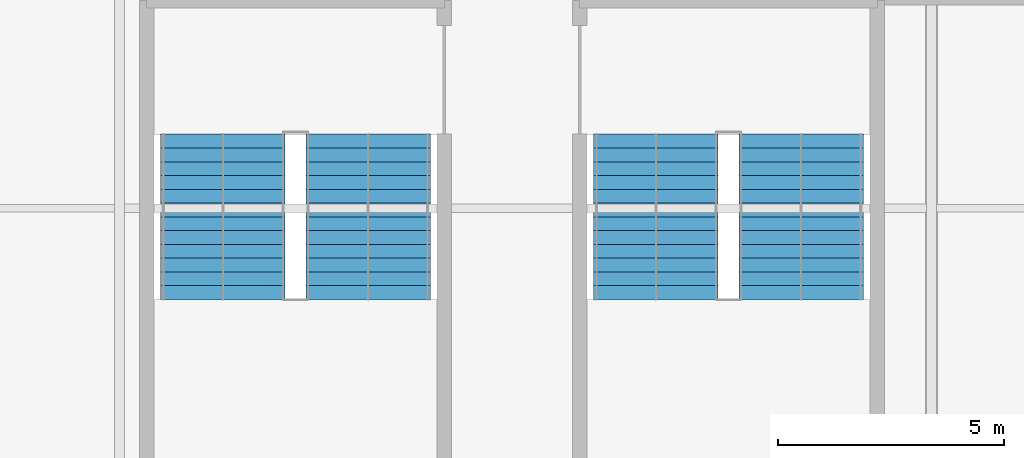
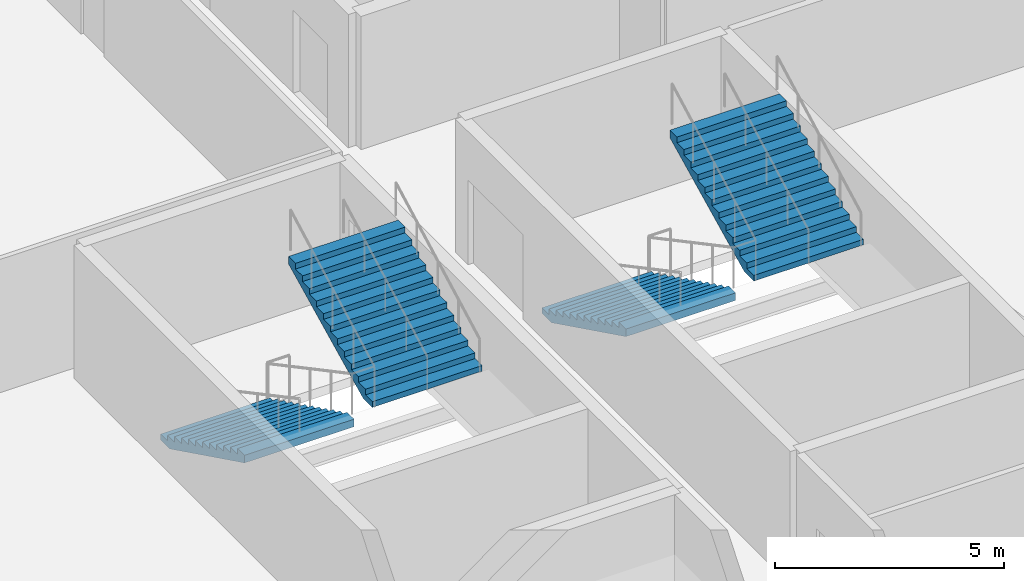
# One storey, part 25 of 30: 4 stair flights, 2 elements without a shape of their own.
"""IFC4 building model written with IfcOpenShell, lengths in metres."""

from ifc_helpers import new_model, si_unit, direction, frame, origin, place, context, subcontext, project, spatial, polygons, material, type_object, element, aggregate, save


model = new_model("IFC4")

# Units and contexts
model_context = context("Model", 3, precision=1e-05, world=origin(), true_north=direction((0.0, 1.0)))
body_context = subcontext(model_context, "Body", "Model", "MODEL_VIEW")
ifc_project = project(units=[si_unit("LENGTHUNIT", "METRE"), si_unit("AREAUNIT", "SQUARE_METRE"), si_unit("VOLUMEUNIT", "CUBIC_METRE"), si_unit("PLANEANGLEUNIT", "RADIAN"), si_unit("MASSUNIT", "GRAM", prefix="KILO")], contexts=[model_context])

# Site, building, storey
site_placement = place(None, origin())
site = spatial("IfcSite", under=ifc_project, at=site_placement, CompositionType="ELEMENT")
building_placement = place(site_placement, origin())
building = spatial("IfcBuilding", under=site, at=building_placement, Name="Kisiwana Market Hall", CompositionType="ELEMENT")
storey_placement = place(building_placement, frame((0.0, 0.0, 54.0)))
storey = spatial("IfcBuildingStorey", under=building, at=storey_placement, Name="L12", CompositionType="ELEMENT", Elevation=54.0)

# Stair, stair flights
ifc_material_1 = material(Name="Concrete C32/40", Category="concrete")
stair_type = type_object("IfcStairType", Name="ST-ESC-3900", PredefinedType="TWO_STRAIGHT_RUN_STAIR", material=ifc_material_1)
stair_1_placement = place(storey_placement, origin())
stair_1 = element("IfcStair", 1, at=stair_1_placement, inside=storey, type_object=stair_type, Name="Escape stair ST-E4-L12", PredefinedType="TWO_STRAIGHT_RUN_STAIR")
ifc_material_2 = material(Name="Concrete C32/40", Category="concrete")
stair_flight_type = type_object("IfcStairFlightType", Name="SF-ESC-3900", PredefinedType="STRAIGHT", material=ifc_material_2)
stair_flight_1_placement = place(storey_placement, frame((182.889892578125, 77.639892578125, 0.0), z_axis=(0.0, 0.0, 1.0), x_axis=(0.0, -1.0, 0.0)))
stair_flight_1 = element("IfcStairFlight", 2, at=stair_flight_1_placement, type_object=stair_flight_type, Name="ST-E4-L12 flight 1", NumberOfRisers=13, NumberOfTreads=12, PredefinedType="STRAIGHT", RiserHeight=0.15, TreadLength=0.305, context=body_context, shape_type="Tessellation", body=[
    polygons([(0.0, -1.380127, 0.0), (0.0, -0.690125, 0.0), (0.0, -0.000122, 0.0), (0.0, 0.68988, 0.0), (0.0, 1.379883, 0.0), (0.0, -1.380127, 0.149902), (0.0, -0.690125, 0.149902), (0.0, -0.000122, 0.149902), (0.0, 0.68988, 0.149902), (0.0, 1.379883, 0.149902), (0.304932, -1.380127, 0.149902), (0.304932, -0.690125, 0.149902), (0.304932, -0.000122, 0.149902), (0.304932, 0.68988, 0.149902), (0.304932, 1.379883, 0.149902), (0.304932, -1.380127, 0.300049), (0.304932, -0.690125, 0.300049), (0.304932, -0.000122, 0.300049), (0.304932, 0.68988, 0.300049), (0.304932, 1.379883, 0.300049), (0.610107, -1.380127, 0.300049), (0.610107, -0.690125, 0.300049), (0.610107, -0.000122, 0.300049), (0.610107, 0.68988, 0.300049), (0.610107, 1.379883, 0.300049), (0.610107, -1.380127, 0.449951), (0.610107, -0.690125, 0.449951), (0.610107, -0.000122, 0.449951), (0.610107, 0.68988, 0.449951), (0.610107, 1.379883, 0.449951), (0.915039, -1.380127, 0.449951), (0.915039, -0.690125, 0.449951), (0.915039, -0.000122, 0.449951), (0.915039, 0.68988, 0.449951), (0.915039, 1.379883, 0.449951), (0.915039, -1.380127, 0.600098), (0.915039, -0.690125, 0.600098), (0.915039, -0.000122, 0.600098), (0.915039, 0.68988, 0.600098), (0.915039, 1.379883, 0.600098), (1.219971, -1.380127, 0.600098), (1.219971, -0.690125, 0.600098), (1.219971, -0.000122, 0.600098), (1.219971, 0.68988, 0.600098), (1.219971, 1.379883, 0.600098), (1.219971, -1.380127, 0.75), (1.219971, -0.690125, 0.75), (1.219971, -0.000122, 0.75), (1.219971, 0.68988, 0.75), (1.219971, 1.379883, 0.75), (1.524902, -1.380127, 0.75), (1.524902, -0.690125, 0.75), (1.524902, -0.000122, 0.75), (1.524902, 0.68988, 0.75), (1.524902, 1.379883, 0.75), (1.524902, -1.380127, 0.899902), (1.524902, -0.690125, 0.899902), (1.524902, -0.000122, 0.899902), (1.524902, 0.68988, 0.899902), (1.524902, 1.379883, 0.899902), (1.830078, -1.380127, 0.899902), (1.830078, -0.690125, 0.899902), (1.830078, -0.000122, 0.899902), (1.830078, 0.68988, 0.899902), (1.830078, 1.379883, 0.899902), (1.830078, -1.380127, 1.050049), (1.830078, -0.690125, 1.050049), (1.830078, -0.000122, 1.050049), (1.830078, 0.68988, 1.050049), (1.830078, 1.379883, 1.050049), (2.13501, -1.380127, 1.050049), (2.13501, -0.690125, 1.050049), (2.13501, -0.000122, 1.050049), (2.13501, 0.68988, 1.050049), (2.13501, 1.379883, 1.050049), (2.13501, -1.380127, 1.199951), (2.13501, -0.690125, 1.199951), (2.13501, -0.000122, 1.199951), (2.13501, 0.68988, 1.199951), (2.13501, 1.379883, 1.199951), (2.439941, -1.380127, 1.199951), (2.439941, -0.690125, 1.199951), (2.439941, -0.000122, 1.199951), (2.439941, 0.68988, 1.199951), (2.439941, 1.379883, 1.199951), (2.439941, -1.380127, 1.350098), (2.439941, -0.690125, 1.350098), (2.439941, -0.000122, 1.350098), (2.439941, 0.68988, 1.350098), (2.439941, 1.379883, 1.350098), (2.745117, -1.380127, 1.350098), (2.745117, -0.690125, 1.350098), (2.745117, -0.000122, 1.350098), (2.745117, 0.68988, 1.350098), (2.745117, 1.379883, 1.350098), (2.745117, -1.380127, 1.5), (2.745117, -0.690125, 1.5), (2.745117, -0.000122, 1.5), (2.745117, 0.68988, 1.5), (2.745117, 1.379883, 1.5), (3.050049, -1.380127, 1.5), (3.050049, -0.690125, 1.5), (3.050049, -0.000122, 1.5), (3.050049, 0.68988, 1.5), (3.050049, 1.379883, 1.5), (3.050049, -1.380127, 1.649902), (3.050049, -0.690125, 1.649902), (3.050049, -0.000122, 1.649902), (3.050049, 0.68988, 1.649902), (3.050049, 1.379883, 1.649902), (3.35498, -1.380127, 1.649902), (3.35498, -0.690125, 1.649902), (3.35498, -0.000122, 1.649902), (3.35498, 0.68988, 1.649902), (3.35498, 1.379883, 1.649902), (3.35498, -1.380127, 1.800049), (3.35498, -0.690125, 1.800049), (3.35498, -0.000122, 1.800049), (3.35498, 0.68988, 1.800049), (3.35498, 1.379883, 1.800049), (3.659912, -1.380127, 1.800049), (3.659912, -0.690125, 1.800049), (3.659912, -0.000122, 1.800049), (3.659912, 0.68988, 1.800049), (3.659912, 1.379883, 1.800049), (3.659912, -1.380127, 1.599365), (3.659912, -0.690125, 1.599365), (3.659912, -0.000122, 1.599365), (3.659912, 0.68988, 1.599365), (3.659912, 1.379883, 1.599365), (0.407715, -1.380127, 0.0), (0.407715, -0.690125, 0.0), (0.407715, -0.000122, 0.0), (0.407715, 0.68988, 0.0), (0.407715, 1.379883, 0.0)], [[[1, 6, 7, 2]], [[2, 7, 8, 3]], [[3, 8, 9, 4]], [[4, 9, 10, 5]], [[6, 11, 12, 7]], [[7, 12, 13, 8]], [[8, 13, 14, 9]], [[9, 14, 15, 10]], [[11, 16, 17, 12]], [[12, 17, 18, 13]], [[13, 18, 19, 14]], [[14, 19, 20, 15]], [[16, 21, 22, 17]], [[17, 22, 23, 18]], [[18, 23, 24, 19]], [[19, 24, 25, 20]], [[21, 26, 27, 22]], [[22, 27, 28, 23]], [[23, 28, 29, 24]], [[24, 29, 30, 25]], [[26, 31, 32, 27]], [[27, 32, 33, 28]], [[28, 33, 34, 29]], [[29, 34, 35, 30]], [[31, 36, 37, 32]], [[32, 37, 38, 33]], [[33, 38, 39, 34]], [[34, 39, 40, 35]], [[36, 41, 42, 37]], [[37, 42, 43, 38]], [[38, 43, 44, 39]], [[39, 44, 45, 40]], [[41, 46, 47, 42]], [[42, 47, 48, 43]], [[43, 48, 49, 44]], [[44, 49, 50, 45]], [[46, 51, 52, 47]], [[47, 52, 53, 48]], [[48, 53, 54, 49]], [[49, 54, 55, 50]], [[51, 56, 57, 52]], [[52, 57, 58, 53]], [[53, 58, 59, 54]], [[54, 59, 60, 55]], [[56, 61, 62, 57]], [[57, 62, 63, 58]], [[58, 63, 64, 59]], [[59, 64, 65, 60]], [[61, 66, 67, 62]], [[62, 67, 68, 63]], [[63, 68, 69, 64]], [[64, 69, 70, 65]], [[66, 71, 72, 67]], [[67, 72, 73, 68]], [[68, 73, 74, 69]], [[69, 74, 75, 70]], [[71, 76, 77, 72]], [[72, 77, 78, 73]], [[73, 78, 79, 74]], [[74, 79, 80, 75]], [[76, 81, 82, 77]], [[77, 82, 83, 78]], [[78, 83, 84, 79]], [[79, 84, 85, 80]], [[81, 86, 87, 82]], [[82, 87, 88, 83]], [[83, 88, 89, 84]], [[84, 89, 90, 85]], [[86, 91, 92, 87]], [[87, 92, 93, 88]], [[88, 93, 94, 89]], [[89, 94, 95, 90]], [[91, 96, 97, 92]], [[92, 97, 98, 93]], [[93, 98, 99, 94]], [[94, 99, 100, 95]], [[96, 101, 102, 97]], [[97, 102, 103, 98]], [[98, 103, 104, 99]], [[99, 104, 105, 100]], [[101, 106, 107, 102]], [[102, 107, 108, 103]], [[103, 108, 109, 104]], [[104, 109, 110, 105]], [[106, 111, 112, 107]], [[107, 112, 113, 108]], [[108, 113, 114, 109]], [[109, 114, 115, 110]], [[111, 116, 117, 112]], [[112, 117, 118, 113]], [[113, 118, 119, 114]], [[114, 119, 120, 115]], [[116, 121, 122, 117]], [[117, 122, 123, 118]], [[118, 123, 124, 119]], [[119, 124, 125, 120]], [[121, 126, 127, 122]], [[122, 127, 128, 123]], [[123, 128, 129, 124]], [[124, 129, 130, 125]], [[126, 131, 132, 127]], [[127, 132, 133, 128]], [[128, 133, 134, 129]], [[129, 134, 135, 130]], [[131, 1, 2, 132]], [[132, 2, 3, 133]], [[133, 3, 4, 134]], [[134, 4, 5, 135]], [[131, 126, 121, 116, 111, 106, 101, 96, 91, 86, 81, 76, 71, 66, 61, 56, 51, 46, 41, 36, 31, 26, 21, 16, 11, 6, 1]], [[5, 10, 15, 20, 25, 30, 35, 40, 45, 50, 55, 60, 65, 70, 75, 80, 85, 90, 95, 100, 105, 110, 115, 120, 125, 130, 135]]], closed=True),
])
stair_flight_2_placement = place(storey_placement, frame((186.110107421875, 73.97998046875, 1.949951171875), z_axis=(0.0, 0.0, 1.0), x_axis=(0.0, 1.0, 0.0)))
stair_flight_2 = element("IfcStairFlight", 3, at=stair_flight_2_placement, type_object=stair_flight_type, Name="ST-E4-L12 flight 2", NumberOfRisers=13, NumberOfTreads=12, PredefinedType="STRAIGHT", RiserHeight=0.15, TreadLength=0.305, context=body_context, shape_type="Tessellation", body=[
    polygons([(0.0, -1.380127, 0.0), (0.0, -0.690125, 0.0), (0.0, -0.000122, 0.0), (0.0, 0.68988, 0.0), (0.0, 1.379883, 0.0), (0.0, -1.380127, 0.149902), (0.0, -0.690125, 0.149902), (0.0, -0.000122, 0.149902), (0.0, 0.68988, 0.149902), (0.0, 1.379883, 0.149902), (0.304932, -1.380127, 0.149902), (0.304932, -0.690125, 0.149902), (0.304932, -0.000122, 0.149902), (0.304932, 0.68988, 0.149902), (0.304932, 1.379883, 0.149902), (0.304932, -1.380127, 0.300049), (0.304932, -0.690125, 0.300049), (0.304932, -0.000122, 0.300049), (0.304932, 0.68988, 0.300049), (0.304932, 1.379883, 0.300049), (0.610107, -1.380127, 0.300049), (0.610107, -0.690125, 0.300049), (0.610107, -0.000122, 0.300049), (0.610107, 0.68988, 0.300049), (0.610107, 1.379883, 0.300049), (0.610107, -1.380127, 0.449951), (0.610107, -0.690125, 0.449951), (0.610107, -0.000122, 0.449951), (0.610107, 0.68988, 0.449951), (0.610107, 1.379883, 0.449951), (0.915039, -1.380127, 0.449951), (0.915039, -0.690125, 0.449951), (0.915039, -0.000122, 0.449951), (0.915039, 0.68988, 0.449951), (0.915039, 1.379883, 0.449951), (0.915039, -1.380127, 0.600098), (0.915039, -0.690125, 0.600098), (0.915039, -0.000122, 0.600098), (0.915039, 0.68988, 0.600098), (0.915039, 1.379883, 0.600098), (1.219971, -1.380127, 0.600098), (1.219971, -0.690125, 0.600098), (1.219971, -0.000122, 0.600098), (1.219971, 0.68988, 0.600098), (1.219971, 1.379883, 0.600098), (1.219971, -1.380127, 0.75), (1.219971, -0.690125, 0.75), (1.219971, -0.000122, 0.75), (1.219971, 0.68988, 0.75), (1.219971, 1.379883, 0.75), (1.524902, -1.380127, 0.75), (1.524902, -0.690125, 0.75), (1.524902, -0.000122, 0.75), (1.524902, 0.68988, 0.75), (1.524902, 1.379883, 0.75), (1.524902, -1.380127, 0.899902), (1.524902, -0.690125, 0.899902), (1.524902, -0.000122, 0.899902), (1.524902, 0.68988, 0.899902), (1.524902, 1.379883, 0.899902), (1.830078, -1.380127, 0.899902), (1.830078, -0.690125, 0.899902), (1.830078, -0.000122, 0.899902), (1.830078, 0.68988, 0.899902), (1.830078, 1.379883, 0.899902), (1.830078, -1.380127, 1.050049), (1.830078, -0.690125, 1.050049), (1.830078, -0.000122, 1.050049), (1.830078, 0.68988, 1.050049), (1.830078, 1.379883, 1.050049), (2.13501, -1.380127, 1.050049), (2.13501, -0.690125, 1.050049), (2.13501, -0.000122, 1.050049), (2.13501, 0.68988, 1.050049), (2.13501, 1.379883, 1.050049), (2.13501, -1.380127, 1.199951), (2.13501, -0.690125, 1.199951), (2.13501, -0.000122, 1.199951), (2.13501, 0.68988, 1.199951), (2.13501, 1.379883, 1.199951), (2.439941, -1.380127, 1.199951), (2.439941, -0.690125, 1.199951), (2.439941, -0.000122, 1.199951), (2.439941, 0.68988, 1.199951), (2.439941, 1.379883, 1.199951), (2.439941, -1.380127, 1.350098), (2.439941, -0.690125, 1.350098), (2.439941, -0.000122, 1.350098), (2.439941, 0.68988, 1.350098), (2.439941, 1.379883, 1.350098), (2.745117, -1.380127, 1.350098), (2.745117, -0.690125, 1.350098), (2.745117, -0.000122, 1.350098), (2.745117, 0.68988, 1.350098), (2.745117, 1.379883, 1.350098), (2.745117, -1.380127, 1.5), (2.745117, -0.690125, 1.5), (2.745117, -0.000122, 1.5), (2.745117, 0.68988, 1.5), (2.745117, 1.379883, 1.5), (3.050049, -1.380127, 1.5), (3.050049, -0.690125, 1.5), (3.050049, -0.000122, 1.5), (3.050049, 0.68988, 1.5), (3.050049, 1.379883, 1.5), (3.050049, -1.380127, 1.649902), (3.050049, -0.690125, 1.649902), (3.050049, -0.000122, 1.649902), (3.050049, 0.68988, 1.649902), (3.050049, 1.379883, 1.649902), (3.35498, -1.380127, 1.649902), (3.35498, -0.690125, 1.649902), (3.35498, -0.000122, 1.649902), (3.35498, 0.68988, 1.649902), (3.35498, 1.379883, 1.649902), (3.35498, -1.380127, 1.800049), (3.35498, -0.690125, 1.800049), (3.35498, -0.000122, 1.800049), (3.35498, 0.68988, 1.800049), (3.35498, 1.379883, 1.800049), (3.659912, -1.380127, 1.800049), (3.659912, -0.690125, 1.800049), (3.659912, -0.000122, 1.800049), (3.659912, 0.68988, 1.800049), (3.659912, 1.379883, 1.800049), (3.659912, -1.380127, 1.599365), (3.659912, -0.690125, 1.599365), (3.659912, -0.000122, 1.599365), (3.659912, 0.68988, 1.599365), (3.659912, 1.379883, 1.599365), (0.407715, -1.380127, 0.0), (0.407715, -0.690125, 0.0), (0.407715, -0.000122, 0.0), (0.407715, 0.68988, 0.0), (0.407715, 1.379883, 0.0)], [[[1, 6, 7, 2]], [[2, 7, 8, 3]], [[3, 8, 9, 4]], [[4, 9, 10, 5]], [[6, 11, 12, 7]], [[7, 12, 13, 8]], [[8, 13, 14, 9]], [[9, 14, 15, 10]], [[11, 16, 17, 12]], [[12, 17, 18, 13]], [[13, 18, 19, 14]], [[14, 19, 20, 15]], [[16, 21, 22, 17]], [[17, 22, 23, 18]], [[18, 23, 24, 19]], [[19, 24, 25, 20]], [[21, 26, 27, 22]], [[22, 27, 28, 23]], [[23, 28, 29, 24]], [[24, 29, 30, 25]], [[26, 31, 32, 27]], [[27, 32, 33, 28]], [[28, 33, 34, 29]], [[29, 34, 35, 30]], [[31, 36, 37, 32]], [[32, 37, 38, 33]], [[33, 38, 39, 34]], [[34, 39, 40, 35]], [[36, 41, 42, 37]], [[37, 42, 43, 38]], [[38, 43, 44, 39]], [[39, 44, 45, 40]], [[41, 46, 47, 42]], [[42, 47, 48, 43]], [[43, 48, 49, 44]], [[44, 49, 50, 45]], [[46, 51, 52, 47]], [[47, 52, 53, 48]], [[48, 53, 54, 49]], [[49, 54, 55, 50]], [[51, 56, 57, 52]], [[52, 57, 58, 53]], [[53, 58, 59, 54]], [[54, 59, 60, 55]], [[56, 61, 62, 57]], [[57, 62, 63, 58]], [[58, 63, 64, 59]], [[59, 64, 65, 60]], [[61, 66, 67, 62]], [[62, 67, 68, 63]], [[63, 68, 69, 64]], [[64, 69, 70, 65]], [[66, 71, 72, 67]], [[67, 72, 73, 68]], [[68, 73, 74, 69]], [[69, 74, 75, 70]], [[71, 76, 77, 72]], [[72, 77, 78, 73]], [[73, 78, 79, 74]], [[74, 79, 80, 75]], [[76, 81, 82, 77]], [[77, 82, 83, 78]], [[78, 83, 84, 79]], [[79, 84, 85, 80]], [[81, 86, 87, 82]], [[82, 87, 88, 83]], [[83, 88, 89, 84]], [[84, 89, 90, 85]], [[86, 91, 92, 87]], [[87, 92, 93, 88]], [[88, 93, 94, 89]], [[89, 94, 95, 90]], [[91, 96, 97, 92]], [[92, 97, 98, 93]], [[93, 98, 99, 94]], [[94, 99, 100, 95]], [[96, 101, 102, 97]], [[97, 102, 103, 98]], [[98, 103, 104, 99]], [[99, 104, 105, 100]], [[101, 106, 107, 102]], [[102, 107, 108, 103]], [[103, 108, 109, 104]], [[104, 109, 110, 105]], [[106, 111, 112, 107]], [[107, 112, 113, 108]], [[108, 113, 114, 109]], [[109, 114, 115, 110]], [[111, 116, 117, 112]], [[112, 117, 118, 113]], [[113, 118, 119, 114]], [[114, 119, 120, 115]], [[116, 121, 122, 117]], [[117, 122, 123, 118]], [[118, 123, 124, 119]], [[119, 124, 125, 120]], [[121, 126, 127, 122]], [[122, 127, 128, 123]], [[123, 128, 129, 124]], [[124, 129, 130, 125]], [[126, 131, 132, 127]], [[127, 132, 133, 128]], [[128, 133, 134, 129]], [[129, 134, 135, 130]], [[131, 1, 2, 132]], [[132, 2, 3, 133]], [[133, 3, 4, 134]], [[134, 4, 5, 135]], [[131, 126, 121, 116, 111, 106, 101, 96, 91, 86, 81, 76, 71, 66, 61, 56, 51, 46, 41, 36, 31, 26, 21, 16, 11, 6, 1]], [[5, 10, 15, 20, 25, 30, 35, 40, 45, 50, 55, 60, 65, 70, 75, 80, 85, 90, 95, 100, 105, 110, 115, 120, 125, 130, 135]]], closed=True),
])
aggregate(stair_1, [stair_flight_1, stair_flight_2])

stair_2_placement = place(storey_placement, origin())
stair_2 = element("IfcStair", 4, at=stair_2_placement, inside=storey, type_object=stair_type, Name="Escape stair ST-E8-L12", PredefinedType="TWO_STRAIGHT_RUN_STAIR")
stair_flight_3_placement = place(storey_placement, frame((173.2900390625, 77.639892578125, 0.0), z_axis=(0.0, 0.0, 1.0), x_axis=(0.0, -1.0, 0.0)))
stair_flight_3 = element("IfcStairFlight", 5, at=stair_flight_3_placement, type_object=stair_flight_type, Name="ST-E8-L12 flight 1", NumberOfRisers=13, NumberOfTreads=12, PredefinedType="STRAIGHT", RiserHeight=0.15, TreadLength=0.305, context=body_context, shape_type="Tessellation", body=[
    polygons([(0.0, -1.380127, 0.0), (0.0, -0.690125, 0.0), (0.0, -0.000122, 0.0), (0.0, 0.68988, 0.0), (0.0, 1.379883, 0.0), (0.0, -1.380127, 0.149902), (0.0, -0.690125, 0.149902), (0.0, -0.000122, 0.149902), (0.0, 0.68988, 0.149902), (0.0, 1.379883, 0.149902), (0.304932, -1.380127, 0.149902), (0.304932, -0.690125, 0.149902), (0.304932, -0.000122, 0.149902), (0.304932, 0.68988, 0.149902), (0.304932, 1.379883, 0.149902), (0.304932, -1.380127, 0.300049), (0.304932, -0.690125, 0.300049), (0.304932, -0.000122, 0.300049), (0.304932, 0.68988, 0.300049), (0.304932, 1.379883, 0.300049), (0.610107, -1.380127, 0.300049), (0.610107, -0.690125, 0.300049), (0.610107, -0.000122, 0.300049), (0.610107, 0.68988, 0.300049), (0.610107, 1.379883, 0.300049), (0.610107, -1.380127, 0.449951), (0.610107, -0.690125, 0.449951), (0.610107, -0.000122, 0.449951), (0.610107, 0.68988, 0.449951), (0.610107, 1.379883, 0.449951), (0.915039, -1.380127, 0.449951), (0.915039, -0.690125, 0.449951), (0.915039, -0.000122, 0.449951), (0.915039, 0.68988, 0.449951), (0.915039, 1.379883, 0.449951), (0.915039, -1.380127, 0.600098), (0.915039, -0.690125, 0.600098), (0.915039, -0.000122, 0.600098), (0.915039, 0.68988, 0.600098), (0.915039, 1.379883, 0.600098), (1.219971, -1.380127, 0.600098), (1.219971, -0.690125, 0.600098), (1.219971, -0.000122, 0.600098), (1.219971, 0.68988, 0.600098), (1.219971, 1.379883, 0.600098), (1.219971, -1.380127, 0.75), (1.219971, -0.690125, 0.75), (1.219971, -0.000122, 0.75), (1.219971, 0.68988, 0.75), (1.219971, 1.379883, 0.75), (1.524902, -1.380127, 0.75), (1.524902, -0.690125, 0.75), (1.524902, -0.000122, 0.75), (1.524902, 0.68988, 0.75), (1.524902, 1.379883, 0.75), (1.524902, -1.380127, 0.899902), (1.524902, -0.690125, 0.899902), (1.524902, -0.000122, 0.899902), (1.524902, 0.68988, 0.899902), (1.524902, 1.379883, 0.899902), (1.830078, -1.380127, 0.899902), (1.830078, -0.690125, 0.899902), (1.830078, -0.000122, 0.899902), (1.830078, 0.68988, 0.899902), (1.830078, 1.379883, 0.899902), (1.830078, -1.380127, 1.050049), (1.830078, -0.690125, 1.050049), (1.830078, -0.000122, 1.050049), (1.830078, 0.68988, 1.050049), (1.830078, 1.379883, 1.050049), (2.13501, -1.380127, 1.050049), (2.13501, -0.690125, 1.050049), (2.13501, -0.000122, 1.050049), (2.13501, 0.68988, 1.050049), (2.13501, 1.379883, 1.050049), (2.13501, -1.380127, 1.199951), (2.13501, -0.690125, 1.199951), (2.13501, -0.000122, 1.199951), (2.13501, 0.68988, 1.199951), (2.13501, 1.379883, 1.199951), (2.439941, -1.380127, 1.199951), (2.439941, -0.690125, 1.199951), (2.439941, -0.000122, 1.199951), (2.439941, 0.68988, 1.199951), (2.439941, 1.379883, 1.199951), (2.439941, -1.380127, 1.350098), (2.439941, -0.690125, 1.350098), (2.439941, -0.000122, 1.350098), (2.439941, 0.68988, 1.350098), (2.439941, 1.379883, 1.350098), (2.745117, -1.380127, 1.350098), (2.745117, -0.690125, 1.350098), (2.745117, -0.000122, 1.350098), (2.745117, 0.68988, 1.350098), (2.745117, 1.379883, 1.350098), (2.745117, -1.380127, 1.5), (2.745117, -0.690125, 1.5), (2.745117, -0.000122, 1.5), (2.745117, 0.68988, 1.5), (2.745117, 1.379883, 1.5), (3.050049, -1.380127, 1.5), (3.050049, -0.690125, 1.5), (3.050049, -0.000122, 1.5), (3.050049, 0.68988, 1.5), (3.050049, 1.379883, 1.5), (3.050049, -1.380127, 1.649902), (3.050049, -0.690125, 1.649902), (3.050049, -0.000122, 1.649902), (3.050049, 0.68988, 1.649902), (3.050049, 1.379883, 1.649902), (3.35498, -1.380127, 1.649902), (3.35498, -0.690125, 1.649902), (3.35498, -0.000122, 1.649902), (3.35498, 0.68988, 1.649902), (3.35498, 1.379883, 1.649902), (3.35498, -1.380127, 1.800049), (3.35498, -0.690125, 1.800049), (3.35498, -0.000122, 1.800049), (3.35498, 0.68988, 1.800049), (3.35498, 1.379883, 1.800049), (3.659912, -1.380127, 1.800049), (3.659912, -0.690125, 1.800049), (3.659912, -0.000122, 1.800049), (3.659912, 0.68988, 1.800049), (3.659912, 1.379883, 1.800049), (3.659912, -1.380127, 1.599365), (3.659912, -0.690125, 1.599365), (3.659912, -0.000122, 1.599365), (3.659912, 0.68988, 1.599365), (3.659912, 1.379883, 1.599365), (0.407715, -1.380127, 0.0), (0.407715, -0.690125, 0.0), (0.407715, -0.000122, 0.0), (0.407715, 0.68988, 0.0), (0.407715, 1.379883, 0.0)], [[[1, 6, 7, 2]], [[2, 7, 8, 3]], [[3, 8, 9, 4]], [[4, 9, 10, 5]], [[6, 11, 12, 7]], [[7, 12, 13, 8]], [[8, 13, 14, 9]], [[9, 14, 15, 10]], [[11, 16, 17, 12]], [[12, 17, 18, 13]], [[13, 18, 19, 14]], [[14, 19, 20, 15]], [[16, 21, 22, 17]], [[17, 22, 23, 18]], [[18, 23, 24, 19]], [[19, 24, 25, 20]], [[21, 26, 27, 22]], [[22, 27, 28, 23]], [[23, 28, 29, 24]], [[24, 29, 30, 25]], [[26, 31, 32, 27]], [[27, 32, 33, 28]], [[28, 33, 34, 29]], [[29, 34, 35, 30]], [[31, 36, 37, 32]], [[32, 37, 38, 33]], [[33, 38, 39, 34]], [[34, 39, 40, 35]], [[36, 41, 42, 37]], [[37, 42, 43, 38]], [[38, 43, 44, 39]], [[39, 44, 45, 40]], [[41, 46, 47, 42]], [[42, 47, 48, 43]], [[43, 48, 49, 44]], [[44, 49, 50, 45]], [[46, 51, 52, 47]], [[47, 52, 53, 48]], [[48, 53, 54, 49]], [[49, 54, 55, 50]], [[51, 56, 57, 52]], [[52, 57, 58, 53]], [[53, 58, 59, 54]], [[54, 59, 60, 55]], [[56, 61, 62, 57]], [[57, 62, 63, 58]], [[58, 63, 64, 59]], [[59, 64, 65, 60]], [[61, 66, 67, 62]], [[62, 67, 68, 63]], [[63, 68, 69, 64]], [[64, 69, 70, 65]], [[66, 71, 72, 67]], [[67, 72, 73, 68]], [[68, 73, 74, 69]], [[69, 74, 75, 70]], [[71, 76, 77, 72]], [[72, 77, 78, 73]], [[73, 78, 79, 74]], [[74, 79, 80, 75]], [[76, 81, 82, 77]], [[77, 82, 83, 78]], [[78, 83, 84, 79]], [[79, 84, 85, 80]], [[81, 86, 87, 82]], [[82, 87, 88, 83]], [[83, 88, 89, 84]], [[84, 89, 90, 85]], [[86, 91, 92, 87]], [[87, 92, 93, 88]], [[88, 93, 94, 89]], [[89, 94, 95, 90]], [[91, 96, 97, 92]], [[92, 97, 98, 93]], [[93, 98, 99, 94]], [[94, 99, 100, 95]], [[96, 101, 102, 97]], [[97, 102, 103, 98]], [[98, 103, 104, 99]], [[99, 104, 105, 100]], [[101, 106, 107, 102]], [[102, 107, 108, 103]], [[103, 108, 109, 104]], [[104, 109, 110, 105]], [[106, 111, 112, 107]], [[107, 112, 113, 108]], [[108, 113, 114, 109]], [[109, 114, 115, 110]], [[111, 116, 117, 112]], [[112, 117, 118, 113]], [[113, 118, 119, 114]], [[114, 119, 120, 115]], [[116, 121, 122, 117]], [[117, 122, 123, 118]], [[118, 123, 124, 119]], [[119, 124, 125, 120]], [[121, 126, 127, 122]], [[122, 127, 128, 123]], [[123, 128, 129, 124]], [[124, 129, 130, 125]], [[126, 131, 132, 127]], [[127, 132, 133, 128]], [[128, 133, 134, 129]], [[129, 134, 135, 130]], [[131, 1, 2, 132]], [[132, 2, 3, 133]], [[133, 3, 4, 134]], [[134, 4, 5, 135]], [[131, 126, 121, 116, 111, 106, 101, 96, 91, 86, 81, 76, 71, 66, 61, 56, 51, 46, 41, 36, 31, 26, 21, 16, 11, 6, 1]], [[5, 10, 15, 20, 25, 30, 35, 40, 45, 50, 55, 60, 65, 70, 75, 80, 85, 90, 95, 100, 105, 110, 115, 120, 125, 130, 135]]], closed=True),
])
stair_flight_4_placement = place(storey_placement, frame((176.510009765625, 73.97998046875, 1.949951171875), z_axis=(0.0, 0.0, 1.0), x_axis=(0.0, 1.0, 0.0)))
stair_flight_4 = element("IfcStairFlight", 6, at=stair_flight_4_placement, type_object=stair_flight_type, Name="ST-E8-L12 flight 2", NumberOfRisers=13, NumberOfTreads=12, PredefinedType="STRAIGHT", RiserHeight=0.15, TreadLength=0.305, context=body_context, shape_type="Tessellation", body=[
    polygons([(0.0, -1.380127, 0.0), (0.0, -0.690125, 0.0), (0.0, -0.000122, 0.0), (0.0, 0.68988, 0.0), (0.0, 1.379883, 0.0), (0.0, -1.380127, 0.149902), (0.0, -0.690125, 0.149902), (0.0, -0.000122, 0.149902), (0.0, 0.68988, 0.149902), (0.0, 1.379883, 0.149902), (0.304932, -1.380127, 0.149902), (0.304932, -0.690125, 0.149902), (0.304932, -0.000122, 0.149902), (0.304932, 0.68988, 0.149902), (0.304932, 1.379883, 0.149902), (0.304932, -1.380127, 0.300049), (0.304932, -0.690125, 0.300049), (0.304932, -0.000122, 0.300049), (0.304932, 0.68988, 0.300049), (0.304932, 1.379883, 0.300049), (0.610107, -1.380127, 0.300049), (0.610107, -0.690125, 0.300049), (0.610107, -0.000122, 0.300049), (0.610107, 0.68988, 0.300049), (0.610107, 1.379883, 0.300049), (0.610107, -1.380127, 0.449951), (0.610107, -0.690125, 0.449951), (0.610107, -0.000122, 0.449951), (0.610107, 0.68988, 0.449951), (0.610107, 1.379883, 0.449951), (0.915039, -1.380127, 0.449951), (0.915039, -0.690125, 0.449951), (0.915039, -0.000122, 0.449951), (0.915039, 0.68988, 0.449951), (0.915039, 1.379883, 0.449951), (0.915039, -1.380127, 0.600098), (0.915039, -0.690125, 0.600098), (0.915039, -0.000122, 0.600098), (0.915039, 0.68988, 0.600098), (0.915039, 1.379883, 0.600098), (1.219971, -1.380127, 0.600098), (1.219971, -0.690125, 0.600098), (1.219971, -0.000122, 0.600098), (1.219971, 0.68988, 0.600098), (1.219971, 1.379883, 0.600098), (1.219971, -1.380127, 0.75), (1.219971, -0.690125, 0.75), (1.219971, -0.000122, 0.75), (1.219971, 0.68988, 0.75), (1.219971, 1.379883, 0.75), (1.524902, -1.380127, 0.75), (1.524902, -0.690125, 0.75), (1.524902, -0.000122, 0.75), (1.524902, 0.68988, 0.75), (1.524902, 1.379883, 0.75), (1.524902, -1.380127, 0.899902), (1.524902, -0.690125, 0.899902), (1.524902, -0.000122, 0.899902), (1.524902, 0.68988, 0.899902), (1.524902, 1.379883, 0.899902), (1.830078, -1.380127, 0.899902), (1.830078, -0.690125, 0.899902), (1.830078, -0.000122, 0.899902), (1.830078, 0.68988, 0.899902), (1.830078, 1.379883, 0.899902), (1.830078, -1.380127, 1.050049), (1.830078, -0.690125, 1.050049), (1.830078, -0.000122, 1.050049), (1.830078, 0.68988, 1.050049), (1.830078, 1.379883, 1.050049), (2.13501, -1.380127, 1.050049), (2.13501, -0.690125, 1.050049), (2.13501, -0.000122, 1.050049), (2.13501, 0.68988, 1.050049), (2.13501, 1.379883, 1.050049), (2.13501, -1.380127, 1.199951), (2.13501, -0.690125, 1.199951), (2.13501, -0.000122, 1.199951), (2.13501, 0.68988, 1.199951), (2.13501, 1.379883, 1.199951), (2.439941, -1.380127, 1.199951), (2.439941, -0.690125, 1.199951), (2.439941, -0.000122, 1.199951), (2.439941, 0.68988, 1.199951), (2.439941, 1.379883, 1.199951), (2.439941, -1.380127, 1.350098), (2.439941, -0.690125, 1.350098), (2.439941, -0.000122, 1.350098), (2.439941, 0.68988, 1.350098), (2.439941, 1.379883, 1.350098), (2.745117, -1.380127, 1.350098), (2.745117, -0.690125, 1.350098), (2.745117, -0.000122, 1.350098), (2.745117, 0.68988, 1.350098), (2.745117, 1.379883, 1.350098), (2.745117, -1.380127, 1.5), (2.745117, -0.690125, 1.5), (2.745117, -0.000122, 1.5), (2.745117, 0.68988, 1.5), (2.745117, 1.379883, 1.5), (3.050049, -1.380127, 1.5), (3.050049, -0.690125, 1.5), (3.050049, -0.000122, 1.5), (3.050049, 0.68988, 1.5), (3.050049, 1.379883, 1.5), (3.050049, -1.380127, 1.649902), (3.050049, -0.690125, 1.649902), (3.050049, -0.000122, 1.649902), (3.050049, 0.68988, 1.649902), (3.050049, 1.379883, 1.649902), (3.35498, -1.380127, 1.649902), (3.35498, -0.690125, 1.649902), (3.35498, -0.000122, 1.649902), (3.35498, 0.68988, 1.649902), (3.35498, 1.379883, 1.649902), (3.35498, -1.380127, 1.800049), (3.35498, -0.690125, 1.800049), (3.35498, -0.000122, 1.800049), (3.35498, 0.68988, 1.800049), (3.35498, 1.379883, 1.800049), (3.659912, -1.380127, 1.800049), (3.659912, -0.690125, 1.800049), (3.659912, -0.000122, 1.800049), (3.659912, 0.68988, 1.800049), (3.659912, 1.379883, 1.800049), (3.659912, -1.380127, 1.599365), (3.659912, -0.690125, 1.599365), (3.659912, -0.000122, 1.599365), (3.659912, 0.68988, 1.599365), (3.659912, 1.379883, 1.599365), (0.407715, -1.380127, 0.0), (0.407715, -0.690125, 0.0), (0.407715, -0.000122, 0.0), (0.407715, 0.68988, 0.0), (0.407715, 1.379883, 0.0)], [[[1, 6, 7, 2]], [[2, 7, 8, 3]], [[3, 8, 9, 4]], [[4, 9, 10, 5]], [[6, 11, 12, 7]], [[7, 12, 13, 8]], [[8, 13, 14, 9]], [[9, 14, 15, 10]], [[11, 16, 17, 12]], [[12, 17, 18, 13]], [[13, 18, 19, 14]], [[14, 19, 20, 15]], [[16, 21, 22, 17]], [[17, 22, 23, 18]], [[18, 23, 24, 19]], [[19, 24, 25, 20]], [[21, 26, 27, 22]], [[22, 27, 28, 23]], [[23, 28, 29, 24]], [[24, 29, 30, 25]], [[26, 31, 32, 27]], [[27, 32, 33, 28]], [[28, 33, 34, 29]], [[29, 34, 35, 30]], [[31, 36, 37, 32]], [[32, 37, 38, 33]], [[33, 38, 39, 34]], [[34, 39, 40, 35]], [[36, 41, 42, 37]], [[37, 42, 43, 38]], [[38, 43, 44, 39]], [[39, 44, 45, 40]], [[41, 46, 47, 42]], [[42, 47, 48, 43]], [[43, 48, 49, 44]], [[44, 49, 50, 45]], [[46, 51, 52, 47]], [[47, 52, 53, 48]], [[48, 53, 54, 49]], [[49, 54, 55, 50]], [[51, 56, 57, 52]], [[52, 57, 58, 53]], [[53, 58, 59, 54]], [[54, 59, 60, 55]], [[56, 61, 62, 57]], [[57, 62, 63, 58]], [[58, 63, 64, 59]], [[59, 64, 65, 60]], [[61, 66, 67, 62]], [[62, 67, 68, 63]], [[63, 68, 69, 64]], [[64, 69, 70, 65]], [[66, 71, 72, 67]], [[67, 72, 73, 68]], [[68, 73, 74, 69]], [[69, 74, 75, 70]], [[71, 76, 77, 72]], [[72, 77, 78, 73]], [[73, 78, 79, 74]], [[74, 79, 80, 75]], [[76, 81, 82, 77]], [[77, 82, 83, 78]], [[78, 83, 84, 79]], [[79, 84, 85, 80]], [[81, 86, 87, 82]], [[82, 87, 88, 83]], [[83, 88, 89, 84]], [[84, 89, 90, 85]], [[86, 91, 92, 87]], [[87, 92, 93, 88]], [[88, 93, 94, 89]], [[89, 94, 95, 90]], [[91, 96, 97, 92]], [[92, 97, 98, 93]], [[93, 98, 99, 94]], [[94, 99, 100, 95]], [[96, 101, 102, 97]], [[97, 102, 103, 98]], [[98, 103, 104, 99]], [[99, 104, 105, 100]], [[101, 106, 107, 102]], [[102, 107, 108, 103]], [[103, 108, 109, 104]], [[104, 109, 110, 105]], [[106, 111, 112, 107]], [[107, 112, 113, 108]], [[108, 113, 114, 109]], [[109, 114, 115, 110]], [[111, 116, 117, 112]], [[112, 117, 118, 113]], [[113, 118, 119, 114]], [[114, 119, 120, 115]], [[116, 121, 122, 117]], [[117, 122, 123, 118]], [[118, 123, 124, 119]], [[119, 124, 125, 120]], [[121, 126, 127, 122]], [[122, 127, 128, 123]], [[123, 128, 129, 124]], [[124, 129, 130, 125]], [[126, 131, 132, 127]], [[127, 132, 133, 128]], [[128, 133, 134, 129]], [[129, 134, 135, 130]], [[131, 1, 2, 132]], [[132, 2, 3, 133]], [[133, 3, 4, 134]], [[134, 4, 5, 135]], [[131, 126, 121, 116, 111, 106, 101, 96, 91, 86, 81, 76, 71, 66, 61, 56, 51, 46, 41, 36, 31, 26, 21, 16, 11, 6, 1]], [[5, 10, 15, 20, 25, 30, 35, 40, 45, 50, 55, 60, 65, 70, 75, 80, 85, 90, 95, 100, 105, 110, 115, 120, 125, 130, 135]]], closed=True),
])
aggregate(stair_2, [stair_flight_3, stair_flight_4])

save(model, "model.ifc")
